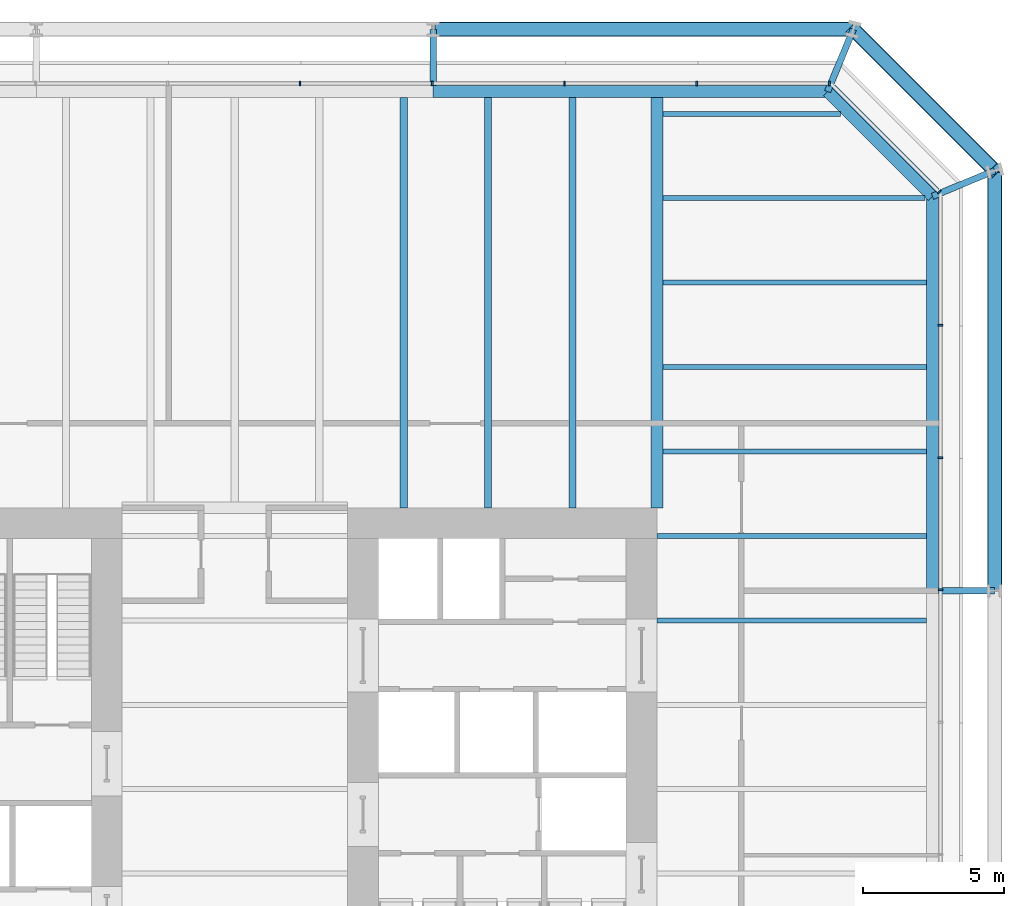
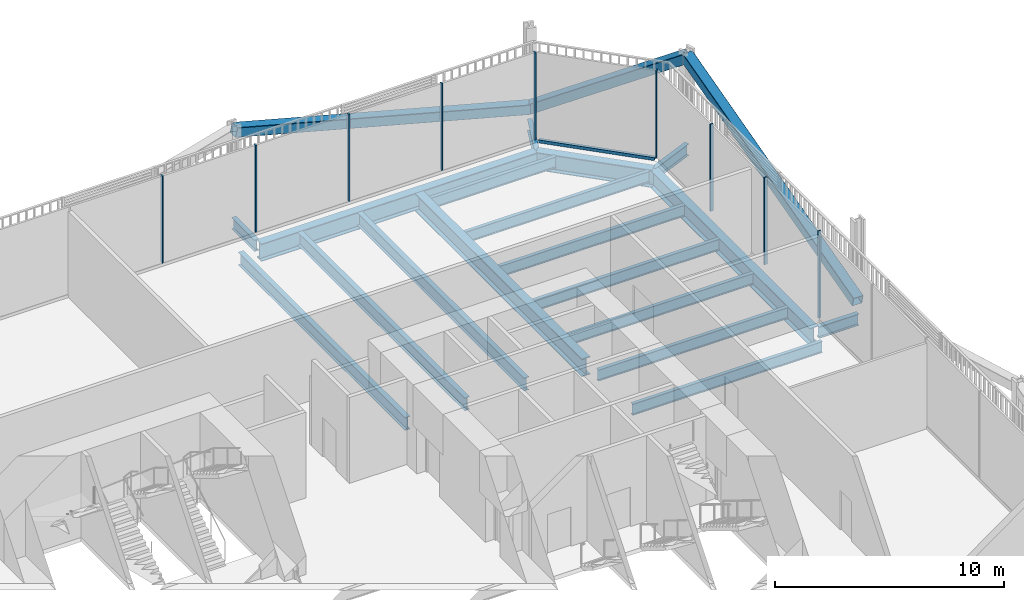
# One storey, part 16 of 22: 18 beams, 13 members, 3 elements without a shape of their own.
"""IFC4 building model written with IfcOpenShell, lengths in metres."""

from ifc_helpers import new_model, si_unit, direction, frame, origin, origin_2d, place, context, subcontext, project, spatial, rectangle, hollow_rectangle, i_section, extrude, material, layer, layer_set, material_profile, profile_set, type_object, element, aggregate, save


model = new_model("IFC4")

# Units and contexts
model_context = context("Model", 3, precision=1e-05, world=origin(), true_north=direction((0.0, 1.0)))
body_context = subcontext(model_context, "Body", "Model", "MODEL_VIEW")
ifc_project = project(units=[si_unit("LENGTHUNIT", "METRE"), si_unit("AREAUNIT", "SQUARE_METRE"), si_unit("VOLUMEUNIT", "CUBIC_METRE"), si_unit("PLANEANGLEUNIT", "RADIAN"), si_unit("MASSUNIT", "GRAM", prefix="KILO")], contexts=[model_context])

# Site, building, storey
site_placement = place(None, origin())
site = spatial("IfcSite", under=ifc_project, at=site_placement, CompositionType="ELEMENT")
building_placement = place(site_placement, origin())
building = spatial("IfcBuilding", under=site, at=building_placement, Name="Millrace Tower", CompositionType="ELEMENT")
storey_placement = place(building_placement, frame((0.0, 0.0, 30.5)))
storey = spatial("IfcBuildingStorey", under=building, at=storey_placement, Name="L07", CompositionType="ELEMENT", Elevation=30.5)

# Curtain wall, members
ifc_material_1 = material(Name="Aluminium and glass", Category="aluminium")
ifc_layer = layer(ifc_material_1, 0.14990234375)
ifc_layer_set = layer_set([ifc_layer], Name="Aluminium and glass")
curtain_wall_type = type_object("IfcCurtainWallType", Name="CW-2 data hall insulated curtain wall", PredefinedType="NOTDEFINED", material=ifc_layer_set)
placement = place(storey_placement, origin())
curtain_wall_1 = element("IfcCurtainWall", 1, at=placement, inside=storey, type_object=curtain_wall_type, Name="Curtain wall A-F04 L07", PredefinedType="NOTDEFINED")
ifc_material_2 = material(Name="Aluminium", Category="aluminium")
ifc_material_profile_1 = material_profile(ifc_material_2, rectangle(XDim=0.06494140625, YDim=0.14990234375, at=origin_2d()))
ifc_profile_set_1 = profile_set([ifc_material_profile_1], Name="Aluminium")
member_type_1 = type_object("IfcMemberType", Name="CW-2 data hall insulated curtain wall mullion", PredefinedType="MULLION", material=ifc_profile_set_1)
member_1_placement = place(storey_placement, frame((25.074951171875, 7.08251953125, 0.159912109375), z_axis=(0.0, 0.0, 1.0), x_axis=(0.0, 1.0, 0.0)))
member_1 = element("IfcMember", 2, at=member_1_placement, type_object=member_type_1, Name="CW2 mullion A-F04.7", PredefinedType="MULLION", context=body_context, shape_type="SweptSolid", body=[
    extrude(rectangle(XDim=0.06494140625, YDim=0.14990234375, at=origin_2d()), origin(), (0.0, 0.0, 1.0), 4.64013671875),
])
member_2_placement = place(storey_placement, frame((25.074951171875, 11.782470703125, 0.159912109375), z_axis=(0.0, 0.0, 1.0), x_axis=(0.0, 1.0, 0.0)))
member_2 = element("IfcMember", 3, at=member_2_placement, type_object=member_type_1, Name="CW2 mullion A-F04.8", PredefinedType="MULLION", context=body_context, shape_type="SweptSolid", body=[
    extrude(rectangle(XDim=0.06494140625, YDim=0.14990234375, at=origin_2d()), origin(), (0.0, 0.0, 1.0), 4.64013671875),
])
member_3_placement = place(storey_placement, frame((25.074951171875, 16.482421875, 0.159912109375), z_axis=(0.0, 0.0, 1.0), x_axis=(0.0, 1.0, 0.0)))
member_3 = element("IfcMember", 4, at=member_3_placement, type_object=member_type_1, Name="CW2 mullion A-F04.9", PredefinedType="MULLION", context=body_context, shape_type="SweptSolid", body=[
    extrude(rectangle(XDim=0.06494140625, YDim=0.14990234375, at=origin_2d()), origin(), (0.0, 0.0, 1.0), 4.64013671875),
])
aggregate(curtain_wall_1, [member_1, member_2, member_3])

# Curtain wall, member
curtain_wall_2 = element("IfcCurtainWall", 5, at=placement, inside=storey, type_object=curtain_wall_type, Name="Curtain wall A-F05 L07", PredefinedType="NOTDEFINED")
member_4_placement = place(storey_placement, frame((25.030029296875, 21.22607421875, 0.159912109375), z_axis=(0.0, 0.0, 1.0), x_axis=(-0.707106781187, 0.707106781187, 0.0)))
member_4 = element("IfcMember", 6, at=member_4_placement, type_object=member_type_1, Name="CW2 mullion A-F05.1", PredefinedType="MULLION", context=body_context, shape_type="SweptSolid", body=[
    extrude(rectangle(XDim=0.06494140625, YDim=0.14990234375, at=origin_2d()), origin(), (0.0, 0.0, 1.0), 4.64013671875),
])

# Curtain wall, members
curtain_wall_3 = element("IfcCurtainWall", 7, at=placement, inside=storey, type_object=curtain_wall_type, Name="Curtain wall A-F06 L07", PredefinedType="NOTDEFINED")
member_5_placement = place(storey_placement, frame((21.117431640625, 25.074951171875, 0.159912109375), z_axis=(0.0, 0.0, 1.0), x_axis=(-1.0, 0.0, 0.0)))
member_5 = element("IfcMember", 8, at=member_5_placement, type_object=member_type_1, Name="CW2 mullion A-F06.1", PredefinedType="MULLION", context=body_context, shape_type="SweptSolid", body=[
    extrude(rectangle(XDim=0.06494140625, YDim=0.14990234375, at=origin_2d()), origin(), (0.0, 0.0, 1.0), 4.64013671875),
])
member_6_placement = place(storey_placement, frame((16.41748046875, 25.074951171875, 0.159912109375), z_axis=(0.0, 0.0, 1.0), x_axis=(-1.0, 0.0, 0.0)))
member_6 = element("IfcMember", 9, at=member_6_placement, type_object=member_type_1, Name="CW2 mullion A-F06.2", PredefinedType="MULLION", context=body_context, shape_type="SweptSolid", body=[
    extrude(rectangle(XDim=0.06494140625, YDim=0.14990234375, at=origin_2d()), origin(), (0.0, 0.0, 1.0), 4.64013671875),
])
member_7_placement = place(storey_placement, frame((11.717529296875, 25.074951171875, 0.159912109375), z_axis=(0.0, 0.0, 1.0), x_axis=(-1.0, 0.0, 0.0)))
member_7 = element("IfcMember", 10, at=member_7_placement, type_object=member_type_1, Name="CW2 mullion A-F06.3", PredefinedType="MULLION", context=body_context, shape_type="SweptSolid", body=[
    extrude(rectangle(XDim=0.06494140625, YDim=0.14990234375, at=origin_2d()), origin(), (0.0, 0.0, 1.0), 4.64013671875),
])
member_8_placement = place(storey_placement, frame((7.017578125, 25.074951171875, 0.159912109375), z_axis=(0.0, 0.0, 1.0), x_axis=(-1.0, 0.0, 0.0)))
member_8 = element("IfcMember", 11, at=member_8_placement, type_object=member_type_1, Name="CW2 mullion A-F06.4", PredefinedType="MULLION", context=body_context, shape_type="SweptSolid", body=[
    extrude(rectangle(XDim=0.06494140625, YDim=0.14990234375, at=origin_2d()), origin(), (0.0, 0.0, 1.0), 4.64013671875),
])
member_9_placement = place(storey_placement, frame((2.3173828125, 25.074951171875, 0.159912109375), z_axis=(0.0, 0.0, 1.0), x_axis=(-1.0, 0.0, 0.0)))
member_9 = element("IfcMember", 12, at=member_9_placement, type_object=member_type_1, Name="CW2 mullion A-F06.5", PredefinedType="MULLION", context=body_context, shape_type="SweptSolid", body=[
    extrude(rectangle(XDim=0.06494140625, YDim=0.14990234375, at=origin_2d()), origin(), (0.0, 0.0, 1.0), 4.64013671875),
])
aggregate(curtain_wall_3, [member_5, member_6, member_7, member_8, member_9])

# Member
ifc_material_3 = material(Name="Aluminium", Category="aluminium")
ifc_material_profile_2 = material_profile(ifc_material_3, rectangle(XDim=0.14990234375, YDim=0.159912109375, at=origin_2d()))
ifc_profile_set_2 = profile_set([ifc_material_profile_2], Name="Aluminium")
member_type_2 = type_object("IfcMemberType", Name="CW-2 data hall insulated curtain wall transom", PredefinedType="USERDEFINED", material=ifc_profile_set_2)
member_10_placement = place(storey_placement, frame((24.982421875, 21.273681640625, 0.080078125), z_axis=(-0.707106781187, 0.707106781187, 0.0), x_axis=(-0.707106781187, -0.707106781187, 0.0)))
member_10 = element("IfcMember", 13, at=member_10_placement, type_object=member_type_2, Name="CW2 transom A-F05.1", ObjectType="TRANSOM", PredefinedType="USERDEFINED", context=body_context, shape_type="SweptSolid", body=[
    extrude(rectangle(XDim=0.14990234375, YDim=0.159912109375, at=origin_2d()), origin(), (0.0, 0.0, 1.0), 5.244873046875),
])

aggregate(curtain_wall_2, [member_4, member_10])

# Members
ifc_material_4 = material(Name="Steel ASTM A500 Grade C", Category="steel")
ifc_material_profile_3 = material_profile(ifc_material_4, hollow_rectangle(XDim=0.508056640625, YDim=0.508056640625, WallThickness=0.022216796875, InnerFilletRadius=0.01123046875, OuterFilletRadius=0.033447265625, at=origin_2d()))
ifc_profile_set_3 = profile_set([ifc_material_profile_3], Name="Steel ASTM A500 Grade C")
member_type_3 = type_object("IfcMemberType", Name="Exoskeleton brace HSS20x20x7/8", PredefinedType="BRACE", material=ifc_profile_set_3)
member_11_placement = place(storey_placement, frame((27.0, 7.050048828125, 0.39990234375), z_axis=(0.0, 0.965926968663, 0.258814781667), x_axis=(-1.0, 0.0, 0.0)))
element("IfcMember", 14, at=member_11_placement, inside=storey, type_object=member_type_3, Name="BRC-A-L07-08", PredefinedType="BRACE", context=body_context, shape_type="SweptSolid", body=[
    extrude(hollow_rectangle(XDim=0.508056640625, YDim=0.508056640625, WallThickness=0.022216796875, InnerFilletRadius=0.01123046875, OuterFilletRadius=0.033447265625, at=origin_2d()), origin(), (0.0, 0.0, 1.0), 15.455078125),
])
member_12_placement = place(storey_placement, frame((21.978515625, 27.0, 0.39990234375), z_axis=(0.616095438492, -0.616095438492, 0.490767583831), x_axis=(0.707106781187, 0.707106781187, 0.0)))
element("IfcMember", 15, at=member_12_placement, inside=storey, type_object=member_type_3, Name="BRC-A-L07-09", PredefinedType="BRACE", context=body_context, shape_type="SweptSolid", body=[
    extrude(hollow_rectangle(XDim=0.508056640625, YDim=0.508056640625, WallThickness=0.022216796875, InnerFilletRadius=0.01123046875, OuterFilletRadius=0.033447265625, at=origin_2d()), origin(), (0.0, 0.0, 1.0), 8.150390625),
])
member_13_placement = place(storey_placement, frame((21.978515625, 27.0, 0.39990234375), z_axis=(-0.965926968663, 0.0, 0.258814781667), x_axis=(0.0, -1.0, 0.0)))
element("IfcMember", 16, at=member_13_placement, inside=storey, type_object=member_type_3, Name="BRC-A-L07-10", PredefinedType="BRACE", context=body_context, shape_type="SweptSolid", body=[
    extrude(hollow_rectangle(XDim=0.508056640625, YDim=0.508056640625, WallThickness=0.022216796875, InnerFilletRadius=0.01123046875, OuterFilletRadius=0.033447265625, at=origin_2d()), origin(), (0.0, 0.0, 1.0), 15.455078125),
])

# Beams
ifc_material_5 = material(Name="Steel ASTM A992 Grade 50", Category="steel")
ifc_material_profile_4 = material_profile(ifc_material_5, i_section(OverallWidth=0.177978515625, OverallDepth=0.599365234375, WebThickness=0.010009765625, FlangeThickness=0.012939453125, FilletRadius=0.012939453125, at=origin_2d()))
ifc_profile_set_4 = profile_set([ifc_material_profile_4], Name="Steel ASTM A992 Grade 50")
beam_type_1 = type_object("IfcBeamType", Name="Floor beam W24x55", PredefinedType="JOIST", material=ifc_profile_set_4)
beam_1_placement = place(storey_placement, frame((15.212158203125, 24.0, -0.524658203125), z_axis=(1.0, 0.0, 0.0), x_axis=(0.0, 1.0, 0.0)))
element("IfcBeam", 17, at=beam_1_placement, inside=storey, type_object=beam_type_1, Name="BM-A-L07-S1-S041", PredefinedType="JOIST", context=body_context, shape_type="SweptSolid", body=[
    extrude(i_section(OverallWidth=0.177978515625, OverallDepth=0.599365234375, WebThickness=0.010009765625, FlangeThickness=0.012939453125, FilletRadius=0.012939453125, at=origin_2d()), origin(), (0.0, 0.0, 1.0), 6.317626953125),
])
ifc_material_6 = material(Name="Steel ASTM A992 Grade 50", Category="steel")
ifc_material_profile_5 = material_profile(ifc_material_6, i_section(OverallWidth=0.1787109375, OverallDepth=0.60205078125, WebThickness=0.010986328125, FlangeThickness=0.014892578125, FilletRadius=0.0126953125, at=origin_2d()))
ifc_profile_set_5 = profile_set([ifc_material_profile_5], Name="Steel ASTM A992 Grade 50")
beam_type_2 = type_object("IfcBeamType", Name="Floor beam W24x62", PredefinedType="JOIST", material=ifc_profile_set_5)
for number, where, z_axis, x_axis, name in (
    (18, (15.0, 6.0, -0.52587890625), (1.0, 0.0, 0.0), (0.0, 1.0, 0.0), "BM-A-L07-S1-S028"),
    (19, (15.0, 9.0, -0.52587890625), (1.0, 0.0, 0.0), (0.0, 1.0, 0.0), "BM-A-L07-S1-S031"),
):
    element("IfcBeam", number, at=place(storey_placement, frame(where, z_axis=z_axis, x_axis=x_axis)), inside=storey, type_object=beam_type_2, Name=name, PredefinedType="JOIST", context=body_context, shape_type="SweptSolid", body=[
        extrude(i_section(OverallWidth=0.1787109375, OverallDepth=0.60205078125, WebThickness=0.010986328125, FlangeThickness=0.014892578125, FilletRadius=0.0126953125, at=origin_2d()), origin(), (0.0, 0.0, 1.0), 9.578369140625),
    ])
for number, where, z_axis, x_axis, name in (
    (20, (15.212158203125, 12.0, -0.52587890625), (1.0, 0.0, 0.0), (0.0, 1.0, 0.0), "BM-A-L07-S1-S033"),
    (21, (15.212158203125, 15.0, -0.52587890625), (1.0, 0.0, 0.0), (0.0, 1.0, 0.0), "BM-A-L07-S1-S035"),
    (22, (15.212158203125, 18.0, -0.52587890625), (1.0, 0.0, 0.0), (0.0, 1.0, 0.0), "BM-A-L07-S1-S037"),
):
    element("IfcBeam", number, at=place(storey_placement, frame(where, z_axis=z_axis, x_axis=x_axis)), inside=storey, type_object=beam_type_2, Name=name, PredefinedType="JOIST", context=body_context, shape_type="SweptSolid", body=[
        extrude(i_section(OverallWidth=0.1787109375, OverallDepth=0.60205078125, WebThickness=0.010986328125, FlangeThickness=0.014892578125, FilletRadius=0.0126953125, at=origin_2d()), origin(), (0.0, 0.0, 1.0), 9.3662109375),
    ])
beam_2_placement = place(storey_placement, frame((15.212158203125, 21.0, -0.52587890625), z_axis=(1.0, 0.0, 0.0), x_axis=(0.0, 1.0, 0.0)))
element("IfcBeam", 23, at=beam_2_placement, inside=storey, type_object=beam_type_2, Name="BM-A-L07-S1-S039", PredefinedType="JOIST", context=body_context, shape_type="SweptSolid", body=[
    extrude(i_section(OverallWidth=0.1787109375, OverallDepth=0.60205078125, WebThickness=0.010986328125, FlangeThickness=0.014892578125, FilletRadius=0.0126953125, at=origin_2d()), origin(), (0.0, 0.0, 1.0), 9.317626953125),
])
ifc_material_7 = material(Name="Steel ASTM A992 Grade 50", Category="steel")
ifc_material_profile_6 = material_profile(ifc_material_7, i_section(OverallWidth=0.256591796875, OverallDepth=0.693359375, WebThickness=0.014404296875, FlangeThickness=0.023681640625, FilletRadius=0.01513671875, at=origin_2d()))
ifc_profile_set_6 = profile_set([ifc_material_profile_6], Name="Steel ASTM A992 Grade 50")
beam_type_3 = type_object("IfcBeamType", Name="Floor beam W27x114", PredefinedType="JOIST", material=ifc_profile_set_6)
for number, where, z_axis, x_axis, name in (
    (24, (6.0, 10.0, -0.57177734375), (0.0, 1.0, 0.0), (-1.0, 0.0, 0.0), "BM-A-L07-S1-S054"),
    (25, (9.0, 10.0, -0.57177734375), (0.0, 1.0, 0.0), (-1.0, 0.0, 0.0), "BM-A-L07-S1-S056"),
    (26, (12.0, 10.0, -0.57177734375), (0.0, 1.0, 0.0), (-1.0, 0.0, 0.0), "BM-A-L07-S1-S058"),
):
    element("IfcBeam", number, at=place(storey_placement, frame(where, z_axis=z_axis, x_axis=x_axis)), inside=storey, type_object=beam_type_3, Name=name, PredefinedType="JOIST", context=body_context, shape_type="SweptSolid", body=[
        extrude(i_section(OverallWidth=0.256591796875, OverallDepth=0.693359375, WebThickness=0.014404296875, FlangeThickness=0.023681640625, FilletRadius=0.01513671875, at=origin_2d()), origin(), (0.0, 0.0, 1.0), 14.578369140625),
    ])
ifc_material_8 = material(Name="Steel ASTM A992 Grade 50", Category="steel")
ifc_material_profile_7 = material_profile(ifc_material_8, i_section(OverallWidth=0.424072265625, OverallDepth=0.947509765625, WebThickness=0.02392578125, FlangeThickness=0.042724609375, FilletRadius=0.024169921875, at=origin_2d()))
ifc_profile_set_7 = profile_set([ifc_material_profile_7], Name="Steel ASTM A992 Grade 50")
beam_type_4 = type_object("IfcBeamType", Name="Girder medium span W36x302", PredefinedType="BEAM", material=ifc_profile_set_7)
beam_3_placement = place(storey_placement, frame((15.0, 10.0, -0.69873046875), z_axis=(0.0, 1.0, 0.0), x_axis=(-1.0, 0.0, 0.0)))
element("IfcBeam", 27, at=beam_3_placement, inside=storey, type_object=beam_type_4, Name="BM-A-L07-S1-G062", PredefinedType="BEAM", context=body_context, shape_type="SweptSolid", body=[
    extrude(i_section(OverallWidth=0.424072265625, OverallDepth=0.947509765625, WebThickness=0.02392578125, FlangeThickness=0.042724609375, FilletRadius=0.024169921875, at=origin_2d()), origin(), (0.0, 0.0, 1.0), 14.578369140625),
])
ifc_material_9 = material(Name="Steel ASTM A992 Grade 50", Category="steel")
ifc_material_profile_8 = material_profile(ifc_material_9, i_section(OverallWidth=0.23046875, OverallDepth=0.6171875, WebThickness=0.01318359375, FlangeThickness=0.022216796875, FilletRadius=0.012939453125, at=origin_2d()))
ifc_profile_set_8 = profile_set([ifc_material_profile_8], Name="Steel ASTM A992 Grade 50")
beam_type_5 = type_object("IfcBeamType", Name="Link beam W24x94", PredefinedType="BEAM", material=ifc_profile_set_8)
beam_4_placement = place(storey_placement, frame((7.050048828125, 25.0, -0.53369140625), z_axis=(0.0, 1.0, 0.0), x_axis=(-1.0, 0.0, 0.0)))
element("IfcBeam", 28, at=beam_4_placement, inside=storey, type_object=beam_type_5, Name="LNK-A-L07-S1-07", PredefinedType="BEAM", context=body_context, shape_type="SweptSolid", body=[
    extrude(i_section(OverallWidth=0.23046875, OverallDepth=0.6171875, WebThickness=0.01318359375, FlangeThickness=0.022216796875, FilletRadius=0.012939453125, at=origin_2d()), origin(), (0.0, 0.0, 1.0), 2.0),
])
for number, where, z_axis, x_axis, name in (
    (29, (21.062744140625, 24.7890625, -0.53369140625), (0.382673155247, 0.923883789366, 0.0), (-0.923883789366, 0.382673155247, 0.0), "LNK-A-L07-S1-08"),
    (30, (24.7890625, 21.062744140625, -0.53369140625), (0.923883789366, 0.382673155247, 0.0), (-0.382673155247, 0.923883789366, 0.0), "LNK-A-L07-S1-09"),
):
    element("IfcBeam", number, at=place(storey_placement, frame(where, z_axis=z_axis, x_axis=x_axis)), inside=storey, type_object=beam_type_5, Name=name, PredefinedType="BEAM", context=body_context, shape_type="SweptSolid", body=[
        extrude(i_section(OverallWidth=0.23046875, OverallDepth=0.6171875, WebThickness=0.01318359375, FlangeThickness=0.022216796875, FilletRadius=0.012939453125, at=origin_2d()), origin(), (0.0, 0.0, 1.0), 2.39306640625),
    ])
beam_5_placement = place(storey_placement, frame((25.0, 7.050048828125, -0.53369140625), z_axis=(1.0, 0.0, 0.0), x_axis=(0.0, 1.0, 0.0)))
element("IfcBeam", 31, at=beam_5_placement, inside=storey, type_object=beam_type_5, Name="LNK-A-L07-S1-10", PredefinedType="BEAM", context=body_context, shape_type="SweptSolid", body=[
    extrude(i_section(OverallWidth=0.23046875, OverallDepth=0.6171875, WebThickness=0.01318359375, FlangeThickness=0.022216796875, FilletRadius=0.012939453125, at=origin_2d()), origin(), (0.0, 0.0, 1.0), 2.0),
])
ifc_material_10 = material(Name="Steel ASTM A992 Grade 50", Category="steel")
ifc_material_profile_9 = material_profile(ifc_material_10, i_section(OverallWidth=0.421630859375, OverallDepth=0.937255859375, WebThickness=0.021240234375, FlangeThickness=0.03662109375, FilletRadius=0.024169921875, at=origin_2d()))
ifc_profile_set_9 = profile_set([ifc_material_profile_9], Name="Steel ASTM A992 Grade 50")
beam_type_6 = type_object("IfcBeamType", Name="Ring beam medium span W36x262", PredefinedType="SPANDREL", material=ifc_profile_set_9)
for number, where, z_axis, x_axis, name in (
    (32, (7.050048828125, 24.7890625, -0.693603515625), (1.0, 0.0, 0.0), (0.0, 1.0, 0.0), "RNG-A-L07-S1-07"),
    (33, (24.7890625, 21.062744140625, -0.693603515625), (0.0, -1.0, 0.0), (1.0, 0.0, 0.0), "RNG-A-L07-S1-09"),
):
    element("IfcBeam", number, at=place(storey_placement, frame(where, z_axis=z_axis, x_axis=x_axis)), inside=storey, type_object=beam_type_6, Name=name, PredefinedType="SPANDREL", context=body_context, shape_type="SweptSolid", body=[
        extrude(i_section(OverallWidth=0.421630859375, OverallDepth=0.937255859375, WebThickness=0.021240234375, FlangeThickness=0.03662109375, FilletRadius=0.024169921875, at=origin_2d()), origin(), (0.0, 0.0, 1.0), 14.0126953125),
    ])
ifc_material_11 = material(Name="Steel ASTM A992 Grade 50", Category="steel")
ifc_material_profile_10 = material_profile(ifc_material_11, i_section(OverallWidth=0.421630859375, OverallDepth=0.937255859375, WebThickness=0.021240234375, FlangeThickness=0.03662109375, FilletRadius=0.024169921875, at=origin_2d()))
ifc_profile_set_10 = profile_set([ifc_material_profile_10], Name="Steel ASTM A992 Grade 50")
beam_type_7 = type_object("IfcBeamType", Name="Ring beam short span W36x262", PredefinedType="SPANDREL", material=ifc_profile_set_10)
beam_6_placement = place(storey_placement, frame((21.062744140625, 24.7890625, -0.693603515625), z_axis=(0.707106781187, -0.707106781187, 0.0), x_axis=(0.707106781187, 0.707106781187, 0.0)))
element("IfcBeam", 34, at=beam_6_placement, inside=storey, type_object=beam_type_7, Name="RNG-A-L07-S1-08", PredefinedType="SPANDREL", context=body_context, shape_type="SweptSolid", body=[
    extrude(i_section(OverallWidth=0.421630859375, OverallDepth=0.937255859375, WebThickness=0.021240234375, FlangeThickness=0.03662109375, FilletRadius=0.024169921875, at=origin_2d()), origin(), (0.0, 0.0, 1.0), 5.269775390625),
])

save(model, "model.ifc")
